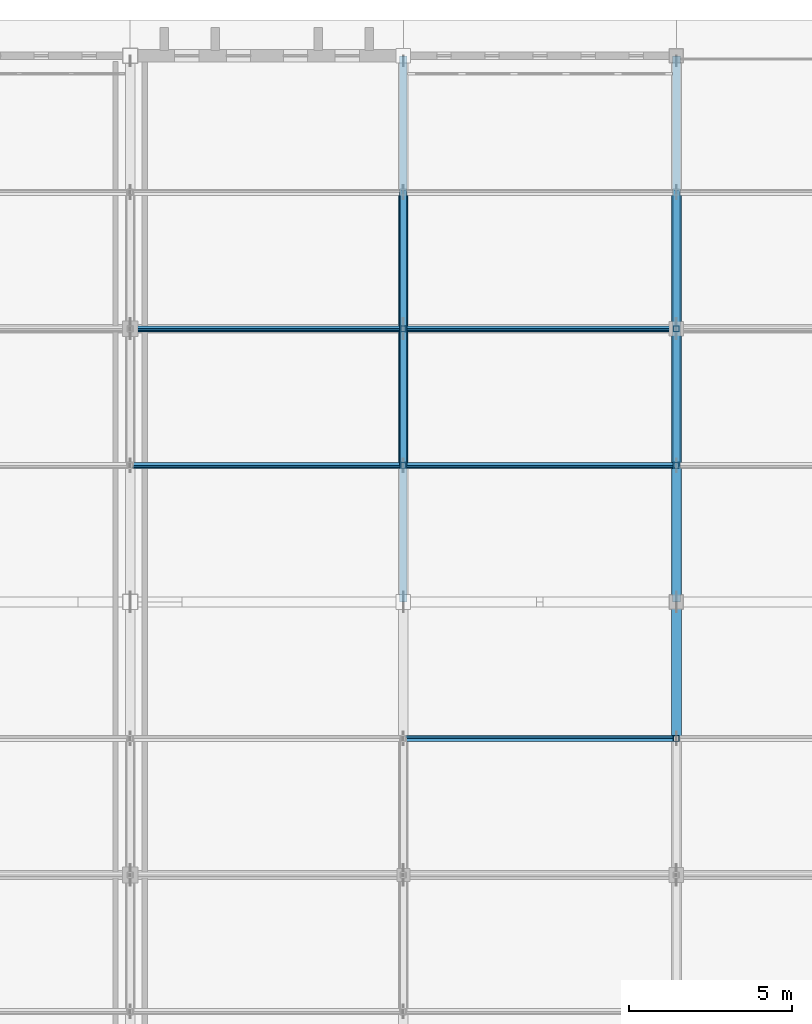
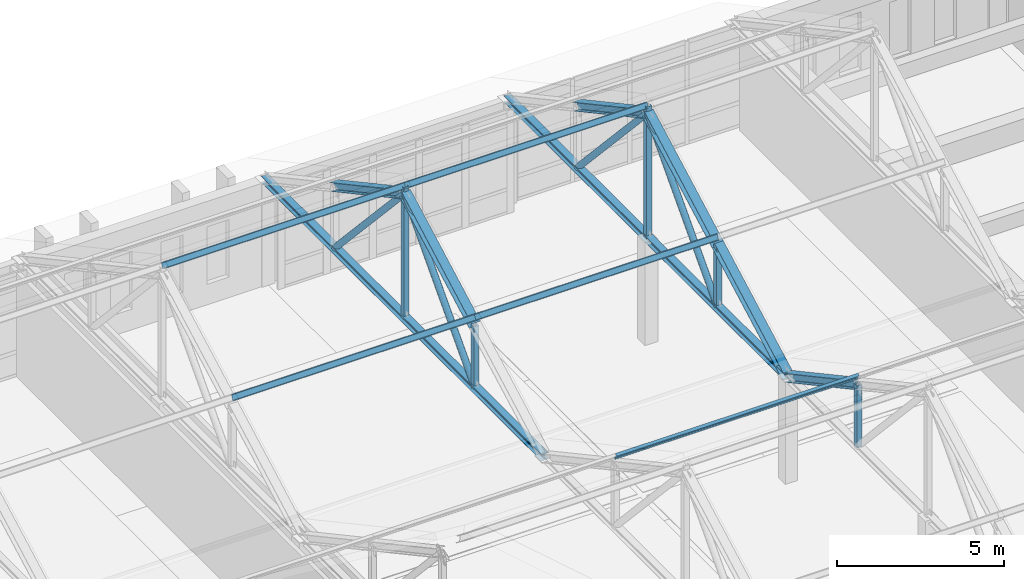
# One storey, part 37 of 110: 22 members.
"""IFC4 building model written with IfcOpenShell, lengths in metres."""

from ifc_helpers import new_model, si_unit, direction, frame, origin, origin_2d, place, context, subcontext, project, spatial, hollow_rectangle, hollow_circle, i_section, extrude, material, material_profile, profile_set, type_object, element, save


model = new_model("IFC4")

# Units and contexts
model_context = context("Model", 3, precision=1e-05, world=origin(), true_north=direction((0.0, 1.0)))
body_context = subcontext(model_context, "Body", "Model", "MODEL_VIEW")
ifc_project = project(units=[si_unit("LENGTHUNIT", "METRE"), si_unit("AREAUNIT", "SQUARE_METRE"), si_unit("VOLUMEUNIT", "CUBIC_METRE"), si_unit("PLANEANGLEUNIT", "RADIAN"), si_unit("MASSUNIT", "GRAM", prefix="KILO")], contexts=[model_context])

# Site, building, storey
site_placement = place(None, origin())
site = spatial("IfcSite", under=ifc_project, at=site_placement, CompositionType="ELEMENT")
building_placement = place(site_placement, origin())
building = spatial("IfcBuilding", under=site, at=building_placement, Name="Kveldsbrygga Polytechnic", CompositionType="ELEMENT")
storey_placement = place(building_placement, frame((0.0, 0.0, 9.860107421875)))
storey = spatial("IfcBuildingStorey", under=building, at=storey_placement, Name="L02", CompositionType="ELEMENT", Elevation=9.860107421875)

# Members
ifc_material = material(Name="Steel S355", Category="steel")
ifc_material_profile_1 = material_profile(ifc_material, i_section(OverallWidth=0.10009765625, OverallDepth=0.199951171875, WebThickness=0.005615234375, FlangeThickness=0.008544921875, FilletRadius=0.011962890625, at=origin_2d()), Name="IPE 200")
ifc_profile_set_1 = profile_set([ifc_material_profile_1], Name="Steel S355")
member_type_1 = type_object("IfcMemberType", Name="PRL-IPE200", PredefinedType="PURLIN", material=ifc_profile_set_1)
for number, where, z_axis, x_axis, name in (
    (1, (84.0, 96.60009765625, 6.33349609375), (1.0, 0.0, 0.0), (0.0, 0.879292204483, 0.476282709256), "Roof Purlin V2L1-PRL-6-3"),
    (2, (75.60009765625, 105.0, 6.33349609375), (1.0, 0.0, 0.0), (0.0, 0.879292204483, -0.476282709256), "Roof Purlin V2L2-PRL-5-1"),
    (3, (75.60009765625, 109.199951171875, 8.608642578125), (1.0, 0.0, 0.0), (0.0, 0.879292204483, -0.476282709256), "Roof Purlin V2L2-PRL-5-2"),
    (4, (84.0, 105.0, 6.33349609375), (1.0, 0.0, 0.0), (0.0, 0.879292204483, -0.476282709256), "Roof Purlin V2L2-PRL-6-1"),
    (5, (84.0, 109.199951171875, 8.608642578125), (1.0, 0.0, 0.0), (0.0, 0.879292204483, -0.476282709256), "Roof Purlin V2L2-PRL-6-2"),
):
    element("IfcMember", number, at=place(storey_placement, frame(where, z_axis=z_axis, x_axis=x_axis)), inside=storey, type_object=member_type_1, Name=name, PredefinedType="PURLIN", context=body_context, shape_type="SweptSolid", body=[
        extrude(i_section(OverallWidth=0.10009765625, OverallDepth=0.199951171875, WebThickness=0.005615234375, FlangeThickness=0.008544921875, FilletRadius=0.011962890625, at=origin_2d()), origin(), (0.0, 0.0, 1.0), 8.39990234375),
    ])
ifc_material_profile_2 = material_profile(ifc_material, i_section(OverallWidth=0.239990234375, OverallDepth=0.22998046875, WebThickness=0.007568359375, FlangeThickness=0.011962890625, FilletRadius=0.02099609375, at=origin_2d()), Name="HEA 240")
ifc_profile_set_2 = profile_set([ifc_material_profile_2], Name="Steel S355")
member_type_2 = type_object("IfcMemberType", Name="TR-BOT-HEA240", PredefinedType="CHORD", material=ifc_profile_set_2)
for number, where, z_axis, x_axis, name in (
    (6, (84.0, 100.800048828125, 3.77978515625), (0.0, 1.0, 0.0), (-1.0, 0.0, 0.0), "Truss Bottom Chord V2L2-T06-BC-1"),
    (7, (92.39990234375, 100.800048828125, 3.77978515625), (0.0, 1.0, 0.0), (-1.0, 0.0, 0.0), "Truss Bottom Chord V2L2-T07-BC-1"),
):
    element("IfcMember", number, at=place(storey_placement, frame(where, z_axis=z_axis, x_axis=x_axis)), inside=storey, type_object=member_type_2, Name=name, PredefinedType="CHORD", context=body_context, shape_type="SweptSolid", body=[
        extrude(i_section(OverallWidth=0.239990234375, OverallDepth=0.22998046875, WebThickness=0.007568359375, FlangeThickness=0.011962890625, FilletRadius=0.02099609375, at=origin_2d()), origin(), (0.0, 0.0, 1.0), 16.800048828125),
    ])
ifc_material_profile_3 = material_profile(ifc_material, hollow_circle(Radius=0.109619140625, WallThickness=0.012451171875, at=origin_2d()), Name="CHS 219.1x12.5")
ifc_profile_set_3 = profile_set([ifc_material_profile_3], Name="Steel S355")
member_type_3 = type_object("IfcMemberType", Name="TR-DIAG-CHS219", PredefinedType="BRACE", material=ifc_profile_set_3)
for number, where, z_axis, x_axis, name in (
    (8, (84.0, 105.0, 3.77978515625), (0.0, 0.678271914864, 0.734811002576), (-1.0, 0.0, 0.0), "Truss Diagonal V2L2-T06-DG-2"),
    (9, (84.0, 109.199951171875, 8.329833984375), (0.0, 0.678271914864, -0.734811002576), (-1.0, 0.0, 0.0), "Truss Diagonal V2L2-T06-DG-3"),
    (10, (92.39990234375, 105.0, 3.77978515625), (0.0, 0.678271914864, 0.734811002576), (-1.0, 0.0, 0.0), "Truss Diagonal V2L2-T07-DG-2"),
    (11, (92.39990234375, 109.199951171875, 8.329833984375), (0.0, 0.678271914864, -0.734811002576), (-1.0, 0.0, 0.0), "Truss Diagonal V2L2-T07-DG-3"),
):
    element("IfcMember", number, at=place(storey_placement, frame(where, z_axis=z_axis, x_axis=x_axis)), inside=storey, type_object=member_type_3, Name=name, PredefinedType="BRACE", context=body_context, shape_type="SweptSolid", body=[
        extrude(hollow_circle(Radius=0.109619140625, WallThickness=0.012451171875, at=origin_2d()), origin(), (0.0, 0.0, 1.0), 6.192138671875),
    ])
ifc_material_profile_4 = material_profile(ifc_material, hollow_rectangle(XDim=0.179931640625, YDim=0.179931640625, WallThickness=0.010009765625, at=origin_2d()), Name="SHS 180x180x10.0")
ifc_profile_set_4 = profile_set([ifc_material_profile_4], Name="Steel S355")
member_type_4 = type_object("IfcMemberType", Name="TR-POST-SHS180", PredefinedType="STRUT", material=ifc_profile_set_4)
for number, where, z_axis, x_axis, name in (
    (12, (92.39990234375, 96.60009765625, 3.77978515625), (0.0, 0.0, 1.0), (1.0, 0.0, 0.0), "Truss Vertical V2L1-T07-VT-3"),
    (13, (84.0, 105.0, 3.77978515625), (0.0, 0.0, 1.0), (1.0, 0.0, 0.0), "Truss Vertical V2L2-T06-VT-1"),
):
    element("IfcMember", number, at=place(storey_placement, frame(where, z_axis=z_axis, x_axis=x_axis)), inside=storey, type_object=member_type_4, Name=name, PredefinedType="STRUT", context=body_context, shape_type="SweptSolid", body=[
        extrude(hollow_rectangle(XDim=0.179931640625, YDim=0.179931640625, WallThickness=0.010009765625, at=origin_2d()), origin(), (0.0, 0.0, 1.0), 2.275146484375),
    ])
member_1_placement = place(storey_placement, frame((84.0, 109.199951171875, 3.77978515625), z_axis=(0.0, 0.0, 1.0), x_axis=(1.0, 0.0, 0.0)))
element("IfcMember", 14, at=member_1_placement, inside=storey, type_object=member_type_4, Name="Truss Vertical V2L2-T06-VT-2", PredefinedType="STRUT", context=body_context, shape_type="SweptSolid", body=[
    extrude(hollow_rectangle(XDim=0.179931640625, YDim=0.179931640625, WallThickness=0.010009765625, at=origin_2d()), origin(), (0.0, 0.0, 1.0), 4.828857421875),
])
member_2_placement = place(storey_placement, frame((92.39990234375, 105.0, 3.77978515625), z_axis=(0.0, 0.0, 1.0), x_axis=(1.0, 0.0, 0.0)))
element("IfcMember", 15, at=member_2_placement, inside=storey, type_object=member_type_4, Name="Truss Vertical V2L2-T07-VT-1", PredefinedType="STRUT", context=body_context, shape_type="SweptSolid", body=[
    extrude(hollow_rectangle(XDim=0.179931640625, YDim=0.179931640625, WallThickness=0.010009765625, at=origin_2d()), origin(), (0.0, 0.0, 1.0), 2.275146484375),
])
member_3_placement = place(storey_placement, frame((92.39990234375, 109.199951171875, 3.77978515625), z_axis=(0.0, 0.0, 1.0), x_axis=(1.0, 0.0, 0.0)))
element("IfcMember", 16, at=member_3_placement, inside=storey, type_object=member_type_4, Name="Truss Vertical V2L2-T07-VT-2", PredefinedType="STRUT", context=body_context, shape_type="SweptSolid", body=[
    extrude(hollow_rectangle(XDim=0.179931640625, YDim=0.179931640625, WallThickness=0.010009765625, at=origin_2d()), origin(), (0.0, 0.0, 1.0), 4.828857421875),
])
ifc_material_profile_5 = material_profile(ifc_material, i_section(OverallWidth=0.300048828125, OverallDepth=0.2900390625, WebThickness=0.008544921875, FlangeThickness=0.013916015625, FilletRadius=0.027099609375, at=origin_2d()), Name="HEA 300")
ifc_profile_set_5 = profile_set([ifc_material_profile_5], Name="Steel S355")
member_type_5 = type_object("IfcMemberType", Name="TR-TOP-HEA300", PredefinedType="CHORD", material=ifc_profile_set_5)
member_4_placement = place(storey_placement, frame((92.39990234375, 96.60009765625, 6.054931640625), z_axis=(0.0, 0.879276804059, -0.476311139744), x_axis=(-1.0, 0.0, 0.0)))
element("IfcMember", 17, at=member_4_placement, inside=storey, type_object=member_type_5, Name="Truss Top Chord V2L1-T07-TC-4", PredefinedType="CHORD", context=body_context, shape_type="SweptSolid", body=[
    extrude(i_section(OverallWidth=0.300048828125, OverallDepth=0.2900390625, WebThickness=0.008544921875, FlangeThickness=0.013916015625, FilletRadius=0.027099609375, at=origin_2d()), origin(), (0.0, 0.0, 1.0), 4.776611328125),
])
for number, where, z_axis, x_axis, name in (
    (18, (84.0, 105.0, 6.054931640625), (0.0, 0.879298209803, 0.47627162233), (-1.0, 0.0, 0.0), "Truss Top Chord V2L2-T06-TC-2"),
    (19, (84.0, 109.199951171875, 8.329833984375), (0.0, 0.879298209803, -0.47627162233), (-1.0, 0.0, 0.0), "Truss Top Chord V2L2-T06-TC-3"),
):
    element("IfcMember", number, at=place(storey_placement, frame(where, z_axis=z_axis, x_axis=x_axis)), inside=storey, type_object=member_type_5, Name=name, PredefinedType="CHORD", context=body_context, shape_type="SweptSolid", body=[
        extrude(i_section(OverallWidth=0.300048828125, OverallDepth=0.2900390625, WebThickness=0.008544921875, FlangeThickness=0.013916015625, FilletRadius=0.027099609375, at=origin_2d()), origin(), (0.0, 0.0, 1.0), 4.7763671875),
    ])
member_5_placement = place(storey_placement, frame((92.39990234375, 100.800048828125, 3.77978515625), z_axis=(0.0, 0.879276804059, 0.476311139744), x_axis=(-1.0, 0.0, 0.0)))
element("IfcMember", 20, at=member_5_placement, inside=storey, type_object=member_type_5, Name="Truss Top Chord V2L2-T07-TC-1", PredefinedType="CHORD", context=body_context, shape_type="SweptSolid", body=[
    extrude(i_section(OverallWidth=0.300048828125, OverallDepth=0.2900390625, WebThickness=0.008544921875, FlangeThickness=0.013916015625, FilletRadius=0.027099609375, at=origin_2d()), origin(), (0.0, 0.0, 1.0), 4.776611328125),
])
for number, where, z_axis, x_axis, name in (
    (21, (92.39990234375, 105.0, 6.054931640625), (0.0, 0.879298209803, 0.47627162233), (-1.0, 0.0, 0.0), "Truss Top Chord V2L2-T07-TC-2"),
    (22, (92.39990234375, 109.199951171875, 8.329833984375), (0.0, 0.879298209803, -0.47627162233), (-1.0, 0.0, 0.0), "Truss Top Chord V2L2-T07-TC-3"),
):
    element("IfcMember", number, at=place(storey_placement, frame(where, z_axis=z_axis, x_axis=x_axis)), inside=storey, type_object=member_type_5, Name=name, PredefinedType="CHORD", context=body_context, shape_type="SweptSolid", body=[
        extrude(i_section(OverallWidth=0.300048828125, OverallDepth=0.2900390625, WebThickness=0.008544921875, FlangeThickness=0.013916015625, FilletRadius=0.027099609375, at=origin_2d()), origin(), (0.0, 0.0, 1.0), 4.7763671875),
    ])

save(model, "model.ifc")
